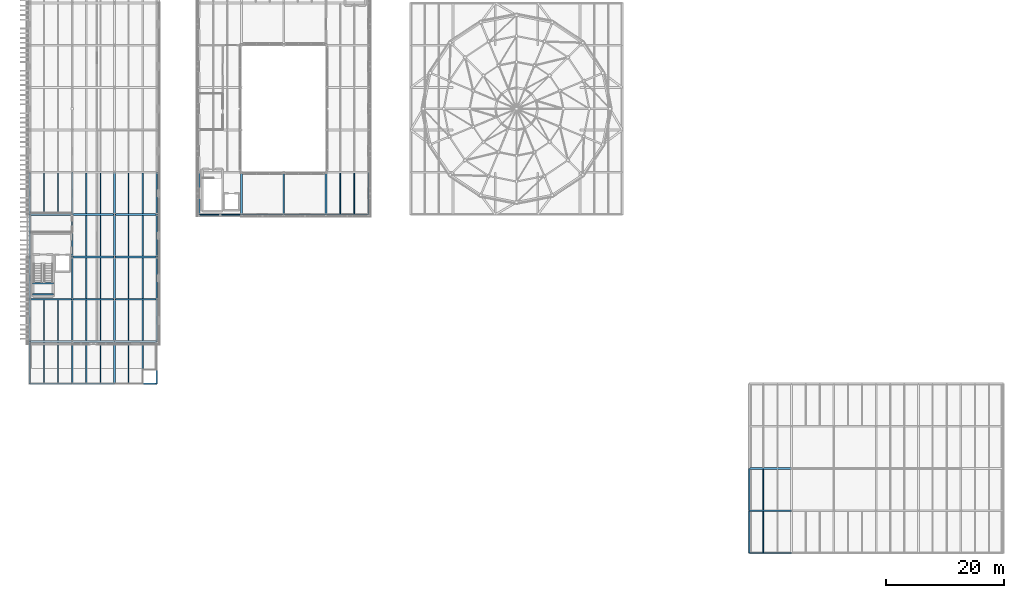
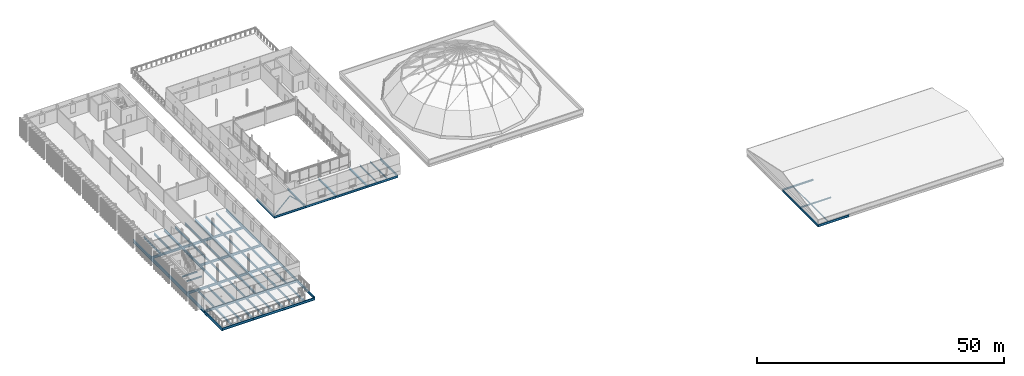
# One storey, part 7 of 66: 80 beams, 2 members.
"""IFC4 building model written with IfcOpenShell, lengths in metres."""

from ifc_helpers import new_model, si_unit, direction, frame, origin, origin_2d, place, context, subcontext, project, spatial, hollow_circle, i_section, extrude, material, material_profile, profile_set, type_object, element, save


model = new_model("IFC4")

# Units and contexts
model_context = context("Model", 3, precision=1e-05, world=origin(), true_north=direction((0.0, 1.0)))
body_context = subcontext(model_context, "Body", "Model", "MODEL_VIEW")
ifc_project = project(units=[si_unit("LENGTHUNIT", "METRE"), si_unit("AREAUNIT", "SQUARE_METRE"), si_unit("VOLUMEUNIT", "CUBIC_METRE"), si_unit("PLANEANGLEUNIT", "RADIAN"), si_unit("MASSUNIT", "GRAM", prefix="KILO")], contexts=[model_context])

# Site, building, storey
site_placement = place(None, origin())
site = spatial("IfcSite", under=ifc_project, at=site_placement, CompositionType="ELEMENT")
building_placement = place(site_placement, origin())
building = spatial("IfcBuilding", under=site, at=building_placement, Name="Narikvali Park Central Library", CompositionType="ELEMENT")
storey_placement = place(building_placement, frame((0.0, 0.0, 18.60009765625)))
storey = spatial("IfcBuildingStorey", under=building, at=storey_placement, Name="L04", CompositionType="ELEMENT", Elevation=18.60009765625)

# Beams
ifc_material = material(Name="Steel S355", Category="steel")
ifc_material_profile_1 = material_profile(ifc_material, i_section(OverallWidth=0.135009765625, OverallDepth=0.27001953125, WebThickness=0.006591796875, FlangeThickness=0.01025390625, FilletRadius=0.014892578125, at=origin_2d()), Name="IPE 270")
ifc_profile_set_1 = profile_set([ifc_material_profile_1], Name="Steel S355")
beam_type_1 = type_object("IfcBeamType", Name="Composite Floor Joist IPE270", PredefinedType="JOIST", material=ifc_profile_set_1)
beam_1_placement = place(storey_placement, frame((124.800048828125, 0.10498046875, -0.375), z_axis=(0.0, 1.0, 0.0), x_axis=(-1.0, 0.0, 0.0)))
element("IfcBeam", 1, at=beam_1_placement, inside=storey, type_object=beam_type_1, Name="V6 L04 Composite Joist 1", PredefinedType="JOIST", context=body_context, shape_type="SweptSolid", body=[
    extrude(i_section(OverallWidth=0.135009765625, OverallDepth=0.27001953125, WebThickness=0.006591796875, FlangeThickness=0.01025390625, FilletRadius=0.014892578125, at=origin_2d()), origin(), (0.0, 0.0, 1.0), 6.965087890625),
])
beam_2_placement = place(storey_placement, frame((124.800048828125, 7.330078125, -0.375), z_axis=(0.0, 1.0, 0.0), x_axis=(-1.0, 0.0, 0.0)))
element("IfcBeam", 2, at=beam_2_placement, inside=storey, type_object=beam_type_1, Name="V6 L04 Composite Joist 1", PredefinedType="JOIST", context=body_context, shape_type="SweptSolid", body=[
    extrude(i_section(OverallWidth=0.135009765625, OverallDepth=0.27001953125, WebThickness=0.006591796875, FlangeThickness=0.01025390625, FilletRadius=0.014892578125, at=origin_2d()), origin(), (0.0, 0.0, 1.0), 6.919921875),
])
ifc_material_profile_2 = material_profile(ifc_material, i_section(OverallWidth=0.169921875, OverallDepth=0.360107421875, WebThickness=0.008056640625, FlangeThickness=0.0126953125, FilletRadius=0.01806640625, at=origin_2d()), Name="IPE 360")
ifc_profile_set_2 = profile_set([ifc_material_profile_2], Name="Steel S355")
beam_type_2 = type_object("IfcBeamType", Name="Composite Floor Joist IPE360", PredefinedType="JOIST", material=ifc_profile_set_2)
for number, where, z_axis, x_axis, name in (
    (3, (52.800048828125, 57.705078125, -0.440185546875), (0.0, 1.0, 0.0), (-1.0, 0.0, 0.0), "V4 L04 Composite Joist 1"),
    (4, (55.199951171875, 57.705078125, -0.440185546875), (0.0, 1.0, 0.0), (-1.0, 0.0, 0.0), "V4 L04 Composite Joist 2"),
):
    element("IfcBeam", number, at=place(storey_placement, frame(where, z_axis=z_axis, x_axis=x_axis)), inside=storey, type_object=beam_type_2, Name=name, PredefinedType="JOIST", context=body_context, shape_type="SweptSolid", body=[
        extrude(i_section(OverallWidth=0.169921875, OverallDepth=0.360107421875, WebThickness=0.008056640625, FlangeThickness=0.0126953125, FilletRadius=0.01806640625, at=origin_2d()), origin(), (0.0, 0.0, 1.0), 6.94482421875),
    ])
ifc_material_profile_3 = material_profile(ifc_material, i_section(OverallWidth=0.280029296875, OverallDepth=0.280029296875, WebThickness=0.010498046875, FlangeThickness=0.01806640625, FilletRadius=0.02392578125, at=origin_2d()), Name="HEB 280")
ifc_profile_set_3 = profile_set([ifc_material_profile_3], Name="Steel S355")
beam_type_3 = type_object("IfcBeamType", Name="Core Trimmer Girder HEB280", PredefinedType="BEAM", material=ifc_profile_set_3)
for number, where, z_axis, x_axis, name in (
    (5, (0.469970703125, 44.02001953125, 1.760009765625), (1.0, 0.0, 0.0), (0.0, 1.0, 0.0), "ST-09 L04 Landing Trimmer Beam 1-1"),
    (6, (0.469970703125, 45.89501953125, 1.760009765625), (1.0, 0.0, 0.0), (0.0, 1.0, 0.0), "ST-09 L04 Landing Trimmer Beam 1-2"),
):
    element("IfcBeam", number, at=place(storey_placement, frame(where, z_axis=z_axis, x_axis=x_axis)), inside=storey, type_object=beam_type_3, Name=name, PredefinedType="BEAM", context=body_context, shape_type="SweptSolid", body=[
        extrude(i_section(OverallWidth=0.280029296875, OverallDepth=0.280029296875, WebThickness=0.010498046875, FlangeThickness=0.01806640625, FilletRadius=0.02392578125, at=origin_2d()), origin(), (0.0, 0.0, 1.0), 3.56005859375),
    ])
ifc_material_profile_4 = material_profile(ifc_material, i_section(OverallWidth=0.264892578125, OverallDepth=0.7529296875, WebThickness=0.01318359375, FlangeThickness=0.01708984375, FilletRadius=0.01708984375, at=origin_2d()), Name="IPE 750x147")
ifc_profile_set_4 = profile_set([ifc_material_profile_4], Name="Steel S355")
beam_type_4 = type_object("IfcBeamType", Name="Fin Facade Spandrel IPE750", PredefinedType="SPANDREL", material=ifc_profile_set_4)
for number, where, z_axis, x_axis, name in (
    (7, (0.0, 28.80810546875, -0.716552734375), (0.0, 1.0, 0.0), (-1.0, 0.0, 0.0), "V5 L04 Girder Y"),
    (8, (0.0, 36.008056640625, -0.63671875), (0.0, 1.0, 0.0), (-1.0, 0.0, 0.0), "V5 L04 Girder Y"),
):
    element("IfcBeam", number, at=place(storey_placement, frame(where, z_axis=z_axis, x_axis=x_axis)), inside=storey, type_object=beam_type_4, Name=name, PredefinedType="SPANDREL", context=body_context, shape_type="SweptSolid", body=[
        extrude(i_section(OverallWidth=0.264892578125, OverallDepth=0.7529296875, WebThickness=0.01318359375, FlangeThickness=0.01708984375, FilletRadius=0.01708984375, at=origin_2d()), origin(), (0.0, 0.0, 1.0), 7.183837890625),
    ])
for number, where, z_axis, x_axis, name in (
    (9, (0.0, 43.2080078125, -0.63671875), (0.0, 1.0, 0.0), (-1.0, 0.0, 0.0), "V5 L04 Girder Y"),
    (10, (0.0, 50.407958984375, -0.63671875), (0.0, 1.0, 0.0), (-1.0, 0.0, 0.0), "V5 L04 Girder Y"),
    (11, (0.0, 57.60791015625, -0.63671875), (0.0, 1.0, 0.0), (-1.0, 0.0, 0.0), "V5 L04 Girder Y"),
):
    element("IfcBeam", number, at=place(storey_placement, frame(where, z_axis=z_axis, x_axis=x_axis)), inside=storey, type_object=beam_type_4, Name=name, PredefinedType="SPANDREL", context=body_context, shape_type="SweptSolid", body=[
        extrude(i_section(OverallWidth=0.264892578125, OverallDepth=0.7529296875, WebThickness=0.01318359375, FlangeThickness=0.01708984375, FilletRadius=0.01708984375, at=origin_2d()), origin(), (0.0, 0.0, 1.0), 7.18408203125),
    ])
ifc_material_profile_5 = material_profile(ifc_material, i_section(OverallWidth=0.201904296875, OverallDepth=0.506103515625, WebThickness=0.011962890625, FlangeThickness=0.01904296875, FilletRadius=0.02099609375, at=origin_2d()), Name="IPEO 500")
ifc_profile_set_5 = profile_set([ifc_material_profile_5], Name="Steel S355")
beam_type_5 = type_object("IfcBeamType", Name="Open Stack Joist IPEO500", PredefinedType="JOIST", material=ifc_profile_set_5)
for number, where, z_axis, x_axis, name in (
    (12, (2.39990234375, 28.909912109375, -0.593017578125), (0.0, 1.0, 0.0), (-1.0, 0.0, 0.0), "V5 L04 Composite Joist 1"),
    (13, (4.800048828125, 28.909912109375, -0.593017578125), (0.0, 1.0, 0.0), (-1.0, 0.0, 0.0), "V5 L04 Composite Joist 2"),
):
    element("IfcBeam", number, at=place(storey_placement, frame(where, z_axis=z_axis, x_axis=x_axis)), inside=storey, type_object=beam_type_5, Name=name, PredefinedType="JOIST", context=body_context, shape_type="SweptSolid", body=[
        extrude(i_section(OverallWidth=0.201904296875, OverallDepth=0.506103515625, WebThickness=0.011962890625, FlangeThickness=0.01904296875, FilletRadius=0.02099609375, at=origin_2d()), origin(), (0.0, 0.0, 1.0), 6.940185546875),
    ])
for number, where, z_axis, x_axis, name in (
    (14, (2.39990234375, 36.14990234375, -0.51318359375), (0.0, 1.0, 0.0), (-1.0, 0.0, 0.0), "V5 L04 Composite Joist 1"),
    (15, (4.800048828125, 36.14990234375, -0.51318359375), (0.0, 1.0, 0.0), (-1.0, 0.0, 0.0), "V5 L04 Composite Joist 2"),
):
    element("IfcBeam", number, at=place(storey_placement, frame(where, z_axis=z_axis, x_axis=x_axis)), inside=storey, type_object=beam_type_5, Name=name, PredefinedType="JOIST", context=body_context, shape_type="SweptSolid", body=[
        extrude(i_section(OverallWidth=0.201904296875, OverallDepth=0.506103515625, WebThickness=0.011962890625, FlangeThickness=0.01904296875, FilletRadius=0.02099609375, at=origin_2d()), origin(), (0.0, 0.0, 1.0), 6.900146484375),
    ])
for number, where, z_axis, x_axis, name in (
    (16, (2.39990234375, 57.75, -0.51318359375), (0.0, 1.0, 0.0), (-1.0, 0.0, 0.0), "V5 L04 Composite Joist 1"),
    (17, (4.800048828125, 57.75, -0.51318359375), (0.0, 1.0, 0.0), (-1.0, 0.0, 0.0), "V5 L04 Composite Joist 2"),
):
    element("IfcBeam", number, at=place(storey_placement, frame(where, z_axis=z_axis, x_axis=x_axis)), inside=storey, type_object=beam_type_5, Name=name, PredefinedType="JOIST", context=body_context, shape_type="SweptSolid", body=[
        extrude(i_section(OverallWidth=0.201904296875, OverallDepth=0.506103515625, WebThickness=0.011962890625, FlangeThickness=0.01904296875, FilletRadius=0.02099609375, at=origin_2d()), origin(), (0.0, 0.0, 1.0), 6.89990234375),
    ])
for number, where, z_axis, x_axis, name in (
    (18, (9.60009765625, 28.909912109375, -0.593017578125), (0.0, 1.0, 0.0), (-1.0, 0.0, 0.0), "V5 L04 Composite Joist 1"),
    (19, (12.0, 28.909912109375, -0.593017578125), (0.0, 1.0, 0.0), (-1.0, 0.0, 0.0), "V5 L04 Composite Joist 2"),
):
    element("IfcBeam", number, at=place(storey_placement, frame(where, z_axis=z_axis, x_axis=x_axis)), inside=storey, type_object=beam_type_5, Name=name, PredefinedType="JOIST", context=body_context, shape_type="SweptSolid", body=[
        extrude(i_section(OverallWidth=0.201904296875, OverallDepth=0.506103515625, WebThickness=0.011962890625, FlangeThickness=0.01904296875, FilletRadius=0.02099609375, at=origin_2d()), origin(), (0.0, 0.0, 1.0), 6.940185546875),
    ])
for number, where, z_axis, x_axis, name in (
    (20, (9.60009765625, 36.14990234375, -0.51318359375), (0.0, 1.0, 0.0), (-1.0, 0.0, 0.0), "V5 L04 Composite Joist 1"),
    (21, (12.0, 36.14990234375, -0.51318359375), (0.0, 1.0, 0.0), (-1.0, 0.0, 0.0), "V5 L04 Composite Joist 2"),
):
    element("IfcBeam", number, at=place(storey_placement, frame(where, z_axis=z_axis, x_axis=x_axis)), inside=storey, type_object=beam_type_5, Name=name, PredefinedType="JOIST", context=body_context, shape_type="SweptSolid", body=[
        extrude(i_section(OverallWidth=0.201904296875, OverallDepth=0.506103515625, WebThickness=0.011962890625, FlangeThickness=0.01904296875, FilletRadius=0.02099609375, at=origin_2d()), origin(), (0.0, 0.0, 1.0), 6.900146484375),
    ])
for number, where, z_axis, x_axis, name in (
    (22, (9.60009765625, 43.35009765625, -0.51318359375), (0.0, 1.0, 0.0), (-1.0, 0.0, 0.0), "V5 L04 Composite Joist 1"),
    (23, (12.0, 43.35009765625, -0.51318359375), (0.0, 1.0, 0.0), (-1.0, 0.0, 0.0), "V5 L04 Composite Joist 2"),
    (24, (9.60009765625, 50.550048828125, -0.51318359375), (0.0, 1.0, 0.0), (-1.0, 0.0, 0.0), "V5 L04 Composite Joist 1"),
    (25, (12.0, 50.550048828125, -0.51318359375), (0.0, 1.0, 0.0), (-1.0, 0.0, 0.0), "V5 L04 Composite Joist 2"),
    (26, (9.60009765625, 57.75, -0.51318359375), (0.0, 1.0, 0.0), (-1.0, 0.0, 0.0), "V5 L04 Composite Joist 1"),
    (27, (12.0, 57.75, -0.51318359375), (0.0, 1.0, 0.0), (-1.0, 0.0, 0.0), "V5 L04 Composite Joist 2"),
):
    element("IfcBeam", number, at=place(storey_placement, frame(where, z_axis=z_axis, x_axis=x_axis)), inside=storey, type_object=beam_type_5, Name=name, PredefinedType="JOIST", context=body_context, shape_type="SweptSolid", body=[
        extrude(i_section(OverallWidth=0.201904296875, OverallDepth=0.506103515625, WebThickness=0.011962890625, FlangeThickness=0.01904296875, FilletRadius=0.02099609375, at=origin_2d()), origin(), (0.0, 0.0, 1.0), 6.89990234375),
    ])
for number, where, z_axis, x_axis, name in (
    (28, (16.800048828125, 28.909912109375, -0.593017578125), (0.0, 1.0, 0.0), (-1.0, 0.0, 0.0), "V5 L04 Composite Joist 1"),
    (29, (19.199951171875, 28.909912109375, -0.593017578125), (0.0, 1.0, 0.0), (-1.0, 0.0, 0.0), "V5 L04 Composite Joist 2"),
):
    element("IfcBeam", number, at=place(storey_placement, frame(where, z_axis=z_axis, x_axis=x_axis)), inside=storey, type_object=beam_type_5, Name=name, PredefinedType="JOIST", context=body_context, shape_type="SweptSolid", body=[
        extrude(i_section(OverallWidth=0.201904296875, OverallDepth=0.506103515625, WebThickness=0.011962890625, FlangeThickness=0.01904296875, FilletRadius=0.02099609375, at=origin_2d()), origin(), (0.0, 0.0, 1.0), 6.940185546875),
    ])
for number, where, z_axis, x_axis, name in (
    (30, (16.800048828125, 36.14990234375, -0.51318359375), (0.0, 1.0, 0.0), (-1.0, 0.0, 0.0), "V5 L04 Composite Joist 1"),
    (31, (19.199951171875, 36.14990234375, -0.51318359375), (0.0, 1.0, 0.0), (-1.0, 0.0, 0.0), "V5 L04 Composite Joist 2"),
):
    element("IfcBeam", number, at=place(storey_placement, frame(where, z_axis=z_axis, x_axis=x_axis)), inside=storey, type_object=beam_type_5, Name=name, PredefinedType="JOIST", context=body_context, shape_type="SweptSolid", body=[
        extrude(i_section(OverallWidth=0.201904296875, OverallDepth=0.506103515625, WebThickness=0.011962890625, FlangeThickness=0.01904296875, FilletRadius=0.02099609375, at=origin_2d()), origin(), (0.0, 0.0, 1.0), 6.900146484375),
    ])
for number, where, z_axis, x_axis, name in (
    (32, (16.800048828125, 43.35009765625, -0.51318359375), (0.0, 1.0, 0.0), (-1.0, 0.0, 0.0), "V5 L04 Composite Joist 1"),
    (33, (19.199951171875, 43.35009765625, -0.51318359375), (0.0, 1.0, 0.0), (-1.0, 0.0, 0.0), "V5 L04 Composite Joist 2"),
    (34, (16.800048828125, 50.550048828125, -0.51318359375), (0.0, 1.0, 0.0), (-1.0, 0.0, 0.0), "V5 L04 Composite Joist 1"),
    (35, (19.199951171875, 50.550048828125, -0.51318359375), (0.0, 1.0, 0.0), (-1.0, 0.0, 0.0), "V5 L04 Composite Joist 2"),
    (36, (16.800048828125, 57.75, -0.51318359375), (0.0, 1.0, 0.0), (-1.0, 0.0, 0.0), "V5 L04 Composite Joist 1"),
    (37, (19.199951171875, 57.75, -0.51318359375), (0.0, 1.0, 0.0), (-1.0, 0.0, 0.0), "V5 L04 Composite Joist 2"),
):
    element("IfcBeam", number, at=place(storey_placement, frame(where, z_axis=z_axis, x_axis=x_axis)), inside=storey, type_object=beam_type_5, Name=name, PredefinedType="JOIST", context=body_context, shape_type="SweptSolid", body=[
        extrude(i_section(OverallWidth=0.201904296875, OverallDepth=0.506103515625, WebThickness=0.011962890625, FlangeThickness=0.01904296875, FilletRadius=0.02099609375, at=origin_2d()), origin(), (0.0, 0.0, 1.0), 6.89990234375),
    ])
ifc_material_profile_6 = material_profile(ifc_material, i_section(OverallWidth=0.300048828125, OverallDepth=0.320068359375, WebThickness=0.011474609375, FlangeThickness=0.0205078125, FilletRadius=0.027099609375, at=origin_2d()), Name="HEB 320")
ifc_profile_set_6 = profile_set([ifc_material_profile_6], Name="Steel S355")
beam_type_6 = type_object("IfcBeamType", Name="Pavilion Roof Girder HEB320", PredefinedType="BEAM", material=ifc_profile_set_6)
beam_3_placement = place(storey_placement, frame((122.407958984375, 14.39990234375, -0.400146484375), z_axis=(1.0, 0.0, 0.0), x_axis=(0.0, 1.0, 0.0)))
element("IfcBeam", 38, at=beam_3_placement, inside=storey, type_object=beam_type_6, Name="V6 L04 Girder X", PredefinedType="BEAM", context=body_context, shape_type="SweptSolid", body=[
    extrude(i_section(OverallWidth=0.300048828125, OverallDepth=0.320068359375, WebThickness=0.011474609375, FlangeThickness=0.0205078125, FilletRadius=0.027099609375, at=origin_2d()), origin(), (0.0, 0.0, 1.0), 7.18408203125),
])
ifc_material_profile_7 = material_profile(ifc_material, i_section(OverallWidth=0.2099609375, OverallDepth=0.550048828125, WebThickness=0.010986328125, FlangeThickness=0.01708984375, FilletRadius=0.02392578125, at=origin_2d()), Name="IPE 550")
ifc_profile_set_7 = profile_set([ifc_material_profile_7], Name="Steel S355")
beam_type_7 = type_object("IfcBeamType", Name="Perimeter Spandrel IPE550", PredefinedType="SPANDREL", material=ifc_profile_set_7)
for number, where, z_axis, x_axis, name in (
    (39, (28.80810546875, 57.60009765625, -0.53515625), (1.0, 0.0, 0.0), (0.0, 1.0, 0.0), "V4 L04 Girder X"),
    (40, (36.008056640625, 57.60009765625, -0.53515625), (1.0, 0.0, 0.0), (0.0, 1.0, 0.0), "V4 L04 Girder X"),
):
    element("IfcBeam", number, at=place(storey_placement, frame(where, z_axis=z_axis, x_axis=x_axis)), inside=storey, type_object=beam_type_7, Name=name, PredefinedType="SPANDREL", context=body_context, shape_type="SweptSolid", body=[
        extrude(i_section(OverallWidth=0.2099609375, OverallDepth=0.550048828125, WebThickness=0.010986328125, FlangeThickness=0.01708984375, FilletRadius=0.02392578125, at=origin_2d()), origin(), (0.0, 0.0, 1.0), 7.183837890625),
    ])
for number, where, z_axis, x_axis, name in (
    (41, (43.2080078125, 57.60009765625, -0.53515625), (1.0, 0.0, 0.0), (0.0, 1.0, 0.0), "V4 L04 Girder X"),
    (42, (50.407958984375, 57.60009765625, -0.53515625), (1.0, 0.0, 0.0), (0.0, 1.0, 0.0), "V4 L04 Girder X"),
    (43, (28.800048828125, 57.60791015625, -0.53515625), (0.0, 1.0, 0.0), (-1.0, 0.0, 0.0), "V4 L04 Girder Y"),
    (44, (57.60009765625, 57.60791015625, -0.53515625), (0.0, 1.0, 0.0), (-1.0, 0.0, 0.0), "V4 L04 Girder Y"),
    (45, (122.407958984375, 0.0, -0.51513671875), (1.0, 0.0, 0.0), (0.0, 1.0, 0.0), "V6 L04 Girder X"),
):
    element("IfcBeam", number, at=place(storey_placement, frame(where, z_axis=z_axis, x_axis=x_axis)), inside=storey, type_object=beam_type_7, Name=name, PredefinedType="SPANDREL", context=body_context, shape_type="SweptSolid", body=[
        extrude(i_section(OverallWidth=0.2099609375, OverallDepth=0.550048828125, WebThickness=0.010986328125, FlangeThickness=0.01708984375, FilletRadius=0.02392578125, at=origin_2d()), origin(), (0.0, 0.0, 1.0), 7.18408203125),
    ])
beam_4_placement = place(storey_placement, frame((122.39990234375, 0.008056640625, -0.51513671875), z_axis=(0.0, 1.0, 0.0), x_axis=(-1.0, 0.0, 0.0)))
element("IfcBeam", 46, at=beam_4_placement, inside=storey, type_object=beam_type_7, Name="V6 L04 Girder Y", PredefinedType="SPANDREL", context=body_context, shape_type="SweptSolid", body=[
    extrude(i_section(OverallWidth=0.2099609375, OverallDepth=0.550048828125, WebThickness=0.010986328125, FlangeThickness=0.01708984375, FilletRadius=0.02392578125, at=origin_2d()), origin(), (0.0, 0.0, 1.0), 7.183837890625),
])
beam_5_placement = place(storey_placement, frame((122.39990234375, 7.2080078125, -0.51513671875), z_axis=(0.0, 1.0, 0.0), x_axis=(-1.0, 0.0, 0.0)))
element("IfcBeam", 47, at=beam_5_placement, inside=storey, type_object=beam_type_7, Name="V6 L04 Girder Y", PredefinedType="SPANDREL", context=body_context, shape_type="SweptSolid", body=[
    extrude(i_section(OverallWidth=0.2099609375, OverallDepth=0.550048828125, WebThickness=0.010986328125, FlangeThickness=0.01708984375, FilletRadius=0.02392578125, at=origin_2d()), origin(), (0.0, 0.0, 1.0), 7.18408203125),
])
ifc_material_profile_8 = material_profile(ifc_material, i_section(OverallWidth=0.219970703125, OverallDepth=0.60009765625, WebThickness=0.011962890625, FlangeThickness=0.01904296875, FilletRadius=0.02392578125, at=origin_2d()), Name="IPE 600")
ifc_profile_set_8 = profile_set([ifc_material_profile_8], Name="Steel S355")
beam_type_8 = type_object("IfcBeamType", Name="Perimeter Spandrel IPE600", PredefinedType="SPANDREL", material=ifc_profile_set_8)
beam_6_placement = place(storey_placement, frame((0.008056640625, 28.800048828125, -0.64013671875), z_axis=(1.0, 0.0, 0.0), x_axis=(0.0, 1.0, 0.0)))
element("IfcBeam", 48, at=beam_6_placement, inside=storey, type_object=beam_type_8, Name="V5 L04 Girder X", PredefinedType="SPANDREL", context=body_context, shape_type="SweptSolid", body=[
    extrude(i_section(OverallWidth=0.219970703125, OverallDepth=0.60009765625, WebThickness=0.011962890625, FlangeThickness=0.01904296875, FilletRadius=0.02392578125, at=origin_2d()), origin(), (0.0, 0.0, 1.0), 7.183837890625),
])
for number, where, z_axis, x_axis, name in (
    (49, (7.2080078125, 28.800048828125, -0.64013671875), (1.0, 0.0, 0.0), (0.0, 1.0, 0.0), "V5 L04 Girder X"),
    (50, (14.407958984375, 28.800048828125, -0.64013671875), (1.0, 0.0, 0.0), (0.0, 1.0, 0.0), "V5 L04 Girder X"),
):
    element("IfcBeam", number, at=place(storey_placement, frame(where, z_axis=z_axis, x_axis=x_axis)), inside=storey, type_object=beam_type_8, Name=name, PredefinedType="SPANDREL", context=body_context, shape_type="SweptSolid", body=[
        extrude(i_section(OverallWidth=0.219970703125, OverallDepth=0.60009765625, WebThickness=0.011962890625, FlangeThickness=0.01904296875, FilletRadius=0.02392578125, at=origin_2d()), origin(), (0.0, 0.0, 1.0), 7.18408203125),
    ])
for number, where, z_axis, x_axis, name in (
    (51, (21.60009765625, 28.80810546875, -0.64013671875), (0.0, 1.0, 0.0), (-1.0, 0.0, 0.0), "V5 L04 Girder Y"),
    (52, (21.60009765625, 36.008056640625, -0.56005859375), (0.0, 1.0, 0.0), (-1.0, 0.0, 0.0), "V5 L04 Girder Y"),
):
    element("IfcBeam", number, at=place(storey_placement, frame(where, z_axis=z_axis, x_axis=x_axis)), inside=storey, type_object=beam_type_8, Name=name, PredefinedType="SPANDREL", context=body_context, shape_type="SweptSolid", body=[
        extrude(i_section(OverallWidth=0.219970703125, OverallDepth=0.60009765625, WebThickness=0.011962890625, FlangeThickness=0.01904296875, FilletRadius=0.02392578125, at=origin_2d()), origin(), (0.0, 0.0, 1.0), 7.183837890625),
    ])
for number, where, z_axis, x_axis, name in (
    (53, (21.60009765625, 43.2080078125, -0.56005859375), (0.0, 1.0, 0.0), (-1.0, 0.0, 0.0), "V5 L04 Girder Y"),
    (54, (21.60009765625, 50.407958984375, -0.56005859375), (0.0, 1.0, 0.0), (-1.0, 0.0, 0.0), "V5 L04 Girder Y"),
    (55, (21.60009765625, 57.60791015625, -0.56005859375), (0.0, 1.0, 0.0), (-1.0, 0.0, 0.0), "V5 L04 Girder Y"),
):
    element("IfcBeam", number, at=place(storey_placement, frame(where, z_axis=z_axis, x_axis=x_axis)), inside=storey, type_object=beam_type_8, Name=name, PredefinedType="SPANDREL", context=body_context, shape_type="SweptSolid", body=[
        extrude(i_section(OverallWidth=0.219970703125, OverallDepth=0.60009765625, WebThickness=0.011962890625, FlangeThickness=0.01904296875, FilletRadius=0.02392578125, at=origin_2d()), origin(), (0.0, 0.0, 1.0), 7.18408203125),
    ])
ifc_material_profile_9 = material_profile(ifc_material, i_section(OverallWidth=0.260009765625, OverallDepth=0.25, WebThickness=0.007568359375, FlangeThickness=0.012451171875, FilletRadius=0.02392578125, at=origin_2d()), Name="HEA 260")
ifc_profile_set_9 = profile_set([ifc_material_profile_9], Name="Steel S355")
beam_type_9 = type_object("IfcBeamType", Name="Primary Girder HEA260", PredefinedType="BEAM", material=ifc_profile_set_9)
beam_7_placement = place(storey_placement, frame((122.407958984375, 7.199951171875, -0.364990234375), z_axis=(1.0, 0.0, 0.0), x_axis=(0.0, 1.0, 0.0)))
element("IfcBeam", 56, at=beam_7_placement, inside=storey, type_object=beam_type_9, Name="V6 L04 Girder X", PredefinedType="BEAM", context=body_context, shape_type="SweptSolid", body=[
    extrude(i_section(OverallWidth=0.260009765625, OverallDepth=0.25, WebThickness=0.007568359375, FlangeThickness=0.012451171875, FilletRadius=0.02392578125, at=origin_2d()), origin(), (0.0, 0.0, 1.0), 7.18408203125),
])
ifc_material_profile_10 = material_profile(ifc_material, i_section(OverallWidth=0.300048828125, OverallDepth=0.35009765625, WebThickness=0.010009765625, FlangeThickness=0.017578125, FilletRadius=0.027099609375, at=origin_2d()), Name="HEA 360")
ifc_profile_set_10 = profile_set([ifc_material_profile_10], Name="Steel S355")
beam_type_10 = type_object("IfcBeamType", Name="Primary Girder HEA360", PredefinedType="BEAM", material=ifc_profile_set_10)
for number, where, z_axis, x_axis, name in (
    (57, (36.0, 57.60791015625, -0.43505859375), (0.0, 1.0, 0.0), (-1.0, 0.0, 0.0), "V4 L04 Girder Y"),
    (58, (43.199951171875, 57.60791015625, -0.43505859375), (0.0, 1.0, 0.0), (-1.0, 0.0, 0.0), "V4 L04 Girder Y"),
    (59, (50.39990234375, 57.60791015625, -0.43505859375), (0.0, 1.0, 0.0), (-1.0, 0.0, 0.0), "V4 L04 Girder Y"),
):
    element("IfcBeam", number, at=place(storey_placement, frame(where, z_axis=z_axis, x_axis=x_axis)), inside=storey, type_object=beam_type_10, Name=name, PredefinedType="BEAM", context=body_context, shape_type="SweptSolid", body=[
        extrude(i_section(OverallWidth=0.300048828125, OverallDepth=0.35009765625, WebThickness=0.010009765625, FlangeThickness=0.017578125, FilletRadius=0.027099609375, at=origin_2d()), origin(), (0.0, 0.0, 1.0), 7.18408203125),
    ])
ifc_material_profile_11 = material_profile(ifc_material, i_section(OverallWidth=0.300048828125, OverallDepth=0.5400390625, WebThickness=0.012451171875, FlangeThickness=0.02392578125, FilletRadius=0.027099609375, at=origin_2d()), Name="HEA 550")
ifc_profile_set_11 = profile_set([ifc_material_profile_11], Name="Steel S355")
beam_type_11 = type_object("IfcBeamType", Name="Primary Girder HEA550", PredefinedType="BEAM", material=ifc_profile_set_11)
for number, where, z_axis, x_axis, name in (
    (60, (7.199951171875, 28.80810546875, -0.610107421875), (0.0, 1.0, 0.0), (-1.0, 0.0, 0.0), "V5 L04 Girder Y"),
    (61, (7.199951171875, 36.008056640625, -0.530029296875), (0.0, 1.0, 0.0), (-1.0, 0.0, 0.0), "V5 L04 Girder Y"),
):
    element("IfcBeam", number, at=place(storey_placement, frame(where, z_axis=z_axis, x_axis=x_axis)), inside=storey, type_object=beam_type_11, Name=name, PredefinedType="BEAM", context=body_context, shape_type="SweptSolid", body=[
        extrude(i_section(OverallWidth=0.300048828125, OverallDepth=0.5400390625, WebThickness=0.012451171875, FlangeThickness=0.02392578125, FilletRadius=0.027099609375, at=origin_2d()), origin(), (0.0, 0.0, 1.0), 7.183837890625),
    ])
for number, where, z_axis, x_axis, name in (
    (62, (7.199951171875, 43.2080078125, -0.530029296875), (0.0, 1.0, 0.0), (-1.0, 0.0, 0.0), "V5 L04 Girder Y"),
    (63, (7.199951171875, 50.407958984375, -0.530029296875), (0.0, 1.0, 0.0), (-1.0, 0.0, 0.0), "V5 L04 Girder Y"),
    (64, (7.199951171875, 57.60791015625, -0.530029296875), (0.0, 1.0, 0.0), (-1.0, 0.0, 0.0), "V5 L04 Girder Y"),
):
    element("IfcBeam", number, at=place(storey_placement, frame(where, z_axis=z_axis, x_axis=x_axis)), inside=storey, type_object=beam_type_11, Name=name, PredefinedType="BEAM", context=body_context, shape_type="SweptSolid", body=[
        extrude(i_section(OverallWidth=0.300048828125, OverallDepth=0.5400390625, WebThickness=0.012451171875, FlangeThickness=0.02392578125, FilletRadius=0.027099609375, at=origin_2d()), origin(), (0.0, 0.0, 1.0), 7.18408203125),
    ])
for number, where, z_axis, x_axis, name in (
    (65, (14.39990234375, 28.80810546875, -0.610107421875), (0.0, 1.0, 0.0), (-1.0, 0.0, 0.0), "V5 L04 Girder Y"),
    (66, (14.39990234375, 36.008056640625, -0.530029296875), (0.0, 1.0, 0.0), (-1.0, 0.0, 0.0), "V5 L04 Girder Y"),
):
    element("IfcBeam", number, at=place(storey_placement, frame(where, z_axis=z_axis, x_axis=x_axis)), inside=storey, type_object=beam_type_11, Name=name, PredefinedType="BEAM", context=body_context, shape_type="SweptSolid", body=[
        extrude(i_section(OverallWidth=0.300048828125, OverallDepth=0.5400390625, WebThickness=0.012451171875, FlangeThickness=0.02392578125, FilletRadius=0.027099609375, at=origin_2d()), origin(), (0.0, 0.0, 1.0), 7.183837890625),
    ])
for number, where, z_axis, x_axis, name in (
    (67, (14.39990234375, 43.2080078125, -0.530029296875), (0.0, 1.0, 0.0), (-1.0, 0.0, 0.0), "V5 L04 Girder Y"),
    (68, (14.39990234375, 50.407958984375, -0.530029296875), (0.0, 1.0, 0.0), (-1.0, 0.0, 0.0), "V5 L04 Girder Y"),
    (69, (14.39990234375, 57.60791015625, -0.530029296875), (0.0, 1.0, 0.0), (-1.0, 0.0, 0.0), "V5 L04 Girder Y"),
):
    element("IfcBeam", number, at=place(storey_placement, frame(where, z_axis=z_axis, x_axis=x_axis)), inside=storey, type_object=beam_type_11, Name=name, PredefinedType="BEAM", context=body_context, shape_type="SweptSolid", body=[
        extrude(i_section(OverallWidth=0.300048828125, OverallDepth=0.5400390625, WebThickness=0.012451171875, FlangeThickness=0.02392578125, FilletRadius=0.027099609375, at=origin_2d()), origin(), (0.0, 0.0, 1.0), 7.18408203125),
    ])
ifc_material_profile_12 = material_profile(ifc_material, i_section(OverallWidth=0.300048828125, OverallDepth=0.550048828125, WebThickness=0.014892578125, FlangeThickness=0.029052734375, FilletRadius=0.027099609375, at=origin_2d()), Name="HEB 550")
ifc_profile_set_12 = profile_set([ifc_material_profile_12], Name="Steel S355")
beam_type_12 = type_object("IfcBeamType", Name="Primary Stack Girder HEB550", PredefinedType="BEAM", material=ifc_profile_set_12)
beam_8_placement = place(storey_placement, frame((0.008056640625, 36.0, -0.614990234375), z_axis=(1.0, 0.0, 0.0), x_axis=(0.0, 1.0, 0.0)))
element("IfcBeam", 70, at=beam_8_placement, inside=storey, type_object=beam_type_12, Name="V5 L04 Girder X", PredefinedType="BEAM", context=body_context, shape_type="SweptSolid", body=[
    extrude(i_section(OverallWidth=0.300048828125, OverallDepth=0.550048828125, WebThickness=0.014892578125, FlangeThickness=0.029052734375, FilletRadius=0.027099609375, at=origin_2d()), origin(), (0.0, 0.0, 1.0), 7.183837890625),
])
for number, where, z_axis, x_axis, name in (
    (71, (7.2080078125, 36.0, -0.614990234375), (1.0, 0.0, 0.0), (0.0, 1.0, 0.0), "V5 L04 Girder X"),
    (72, (14.407958984375, 36.0, -0.614990234375), (1.0, 0.0, 0.0), (0.0, 1.0, 0.0), "V5 L04 Girder X"),
):
    element("IfcBeam", number, at=place(storey_placement, frame(where, z_axis=z_axis, x_axis=x_axis)), inside=storey, type_object=beam_type_12, Name=name, PredefinedType="BEAM", context=body_context, shape_type="SweptSolid", body=[
        extrude(i_section(OverallWidth=0.300048828125, OverallDepth=0.550048828125, WebThickness=0.014892578125, FlangeThickness=0.029052734375, FilletRadius=0.027099609375, at=origin_2d()), origin(), (0.0, 0.0, 1.0), 7.18408203125),
    ])
beam_9_placement = place(storey_placement, frame((0.008056640625, 43.199951171875, -0.53515625), z_axis=(1.0, 0.0, 0.0), x_axis=(0.0, 1.0, 0.0)))
element("IfcBeam", 73, at=beam_9_placement, inside=storey, type_object=beam_type_12, Name="V5 L04 Girder X", PredefinedType="BEAM", context=body_context, shape_type="SweptSolid", body=[
    extrude(i_section(OverallWidth=0.300048828125, OverallDepth=0.550048828125, WebThickness=0.014892578125, FlangeThickness=0.029052734375, FilletRadius=0.027099609375, at=origin_2d()), origin(), (0.0, 0.0, 1.0), 7.183837890625),
])
for number, where, z_axis, x_axis, name in (
    (74, (7.2080078125, 43.199951171875, -0.53515625), (1.0, 0.0, 0.0), (0.0, 1.0, 0.0), "V5 L04 Girder X"),
    (75, (14.407958984375, 43.199951171875, -0.53515625), (1.0, 0.0, 0.0), (0.0, 1.0, 0.0), "V5 L04 Girder X"),
    (76, (7.2080078125, 50.39990234375, -0.53515625), (1.0, 0.0, 0.0), (0.0, 1.0, 0.0), "V5 L04 Girder X"),
    (77, (14.407958984375, 50.39990234375, -0.53515625), (1.0, 0.0, 0.0), (0.0, 1.0, 0.0), "V5 L04 Girder X"),
):
    element("IfcBeam", number, at=place(storey_placement, frame(where, z_axis=z_axis, x_axis=x_axis)), inside=storey, type_object=beam_type_12, Name=name, PredefinedType="BEAM", context=body_context, shape_type="SweptSolid", body=[
        extrude(i_section(OverallWidth=0.300048828125, OverallDepth=0.550048828125, WebThickness=0.014892578125, FlangeThickness=0.029052734375, FilletRadius=0.027099609375, at=origin_2d()), origin(), (0.0, 0.0, 1.0), 7.18408203125),
    ])
beam_10_placement = place(storey_placement, frame((0.008056640625, 57.60009765625, -0.53515625), z_axis=(1.0, 0.0, 0.0), x_axis=(0.0, 1.0, 0.0)))
element("IfcBeam", 78, at=beam_10_placement, inside=storey, type_object=beam_type_12, Name="V5 L04 Girder X", PredefinedType="BEAM", context=body_context, shape_type="SweptSolid", body=[
    extrude(i_section(OverallWidth=0.300048828125, OverallDepth=0.550048828125, WebThickness=0.014892578125, FlangeThickness=0.029052734375, FilletRadius=0.027099609375, at=origin_2d()), origin(), (0.0, 0.0, 1.0), 7.183837890625),
])
for number, where, z_axis, x_axis, name in (
    (79, (7.2080078125, 57.60009765625, -0.53515625), (1.0, 0.0, 0.0), (0.0, 1.0, 0.0), "V5 L04 Girder X"),
    (80, (14.407958984375, 57.60009765625, -0.53515625), (1.0, 0.0, 0.0), (0.0, 1.0, 0.0), "V5 L04 Girder X"),
):
    element("IfcBeam", number, at=place(storey_placement, frame(where, z_axis=z_axis, x_axis=x_axis)), inside=storey, type_object=beam_type_12, Name=name, PredefinedType="BEAM", context=body_context, shape_type="SweptSolid", body=[
        extrude(i_section(OverallWidth=0.300048828125, OverallDepth=0.550048828125, WebThickness=0.014892578125, FlangeThickness=0.029052734375, FilletRadius=0.027099609375, at=origin_2d()), origin(), (0.0, 0.0, 1.0), 7.18408203125),
    ])

# Members
ifc_material_profile_13 = material_profile(ifc_material, hollow_circle(Radius=0.122314453125, WallThickness=0.012451171875, at=origin_2d()), Name="CHS 244.5x12.5")
ifc_profile_set_13 = profile_set([ifc_material_profile_13], Name="Steel S355")
member_type = type_object("IfcMemberType", Name="Upper Chevron Brace CHS244", PredefinedType="BRACE", material=ifc_profile_set_13)
member_1_placement = place(storey_placement, frame((28.81494140625, 57.60009765625, 0.014892578125), z_axis=(0.723049169735, 0.0, 0.690796567844), x_axis=(0.0, 1.0, 0.0)))
element("IfcMember", 81, at=member_1_placement, inside=storey, type_object=member_type, Name="V4 L04 Seismic Chevron Brace A", PredefinedType="BRACE", context=body_context, shape_type="SweptSolid", body=[
    extrude(hollow_circle(Radius=0.122314453125, WallThickness=0.012451171875, at=origin_2d()), origin(), (0.0, 0.0, 1.0), 4.9580078125),
])
member_2_placement = place(storey_placement, frame((35.985107421875, 57.60009765625, 0.014892578125), z_axis=(-0.723072666096, 0.0, 0.690771973624), x_axis=(0.0, -1.0, 0.0)))
element("IfcMember", 82, at=member_2_placement, inside=storey, type_object=member_type, Name="V4 L04 Seismic Chevron Brace B", PredefinedType="BRACE", context=body_context, shape_type="SweptSolid", body=[
    extrude(hollow_circle(Radius=0.122314453125, WallThickness=0.012451171875, at=origin_2d()), origin(), (0.0, 0.0, 1.0), 4.958251953125),
])

save(model, "model.ifc")
